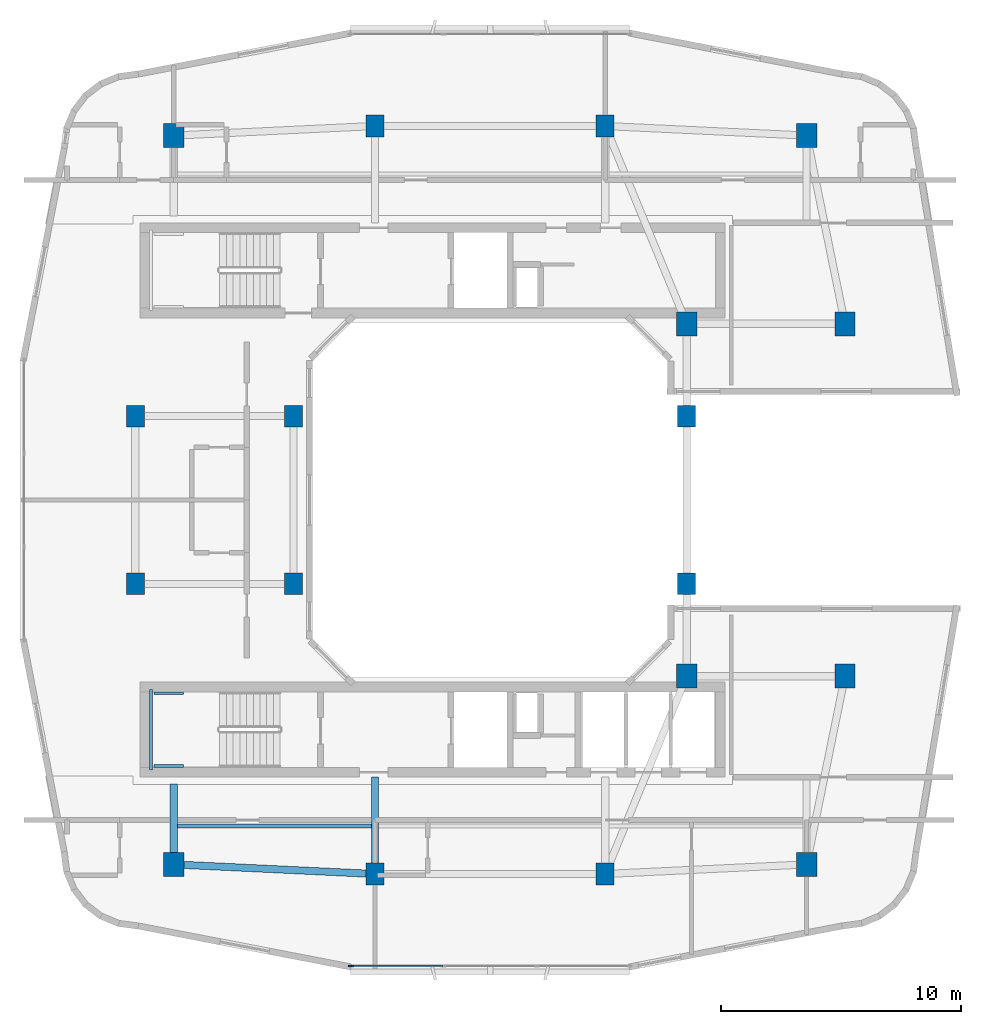
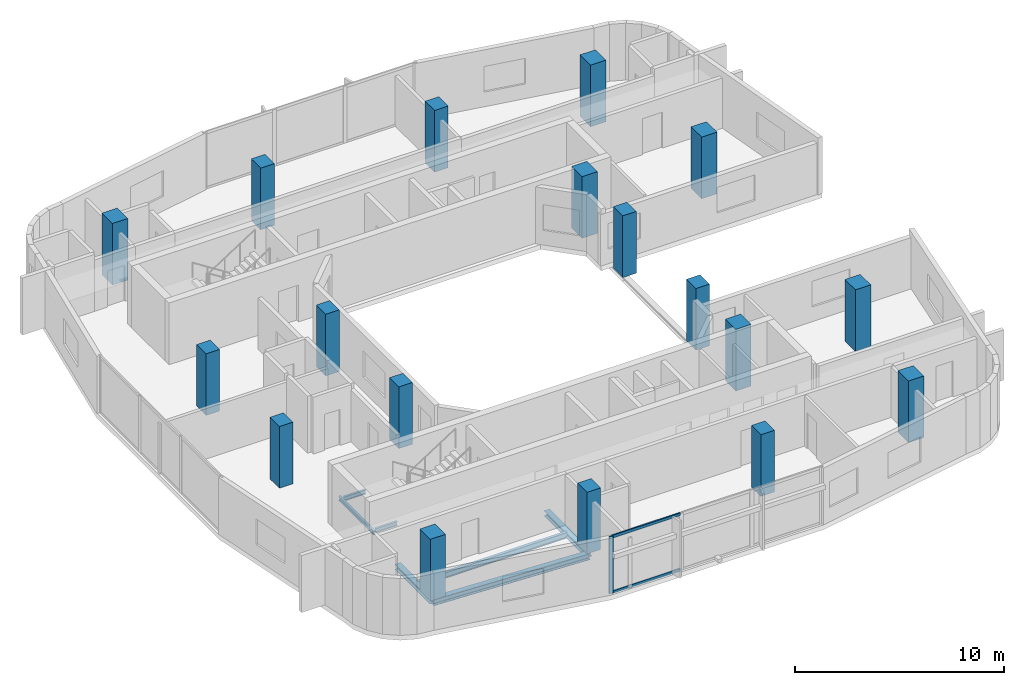
# One storey, part 1 of 12: 18 columns, 7 beams, 3 members, 1 element without a shape of its own.
"""IFC4 building model written with IfcOpenShell, lengths in metres."""

import ifcopenshell
import ifcopenshell.guid

model = None  # the IFC model being written
_history = None  # IfcOwnerHistory: only IFC2X3 demands one
_inside = {}  # id of a spatial element -> (the spatial element, [elements in it])
_under = {}  # id of a project, library or spatial element -> (it, [spatial elements below it])
_declared = {}  # id of a project -> (the project, [libraries it declares])
_typed = {}  # id of a type object -> (the type object, [elements of that type])
_made_of = {}  # id of a material, layer set ... -> (it, [elements and type objects made of it])


def new_model(schema):
    """Start an empty IFC model of exactly this schema.

    Asked for "IFC4X3", IfcOpenShell would pick the latest addendum, in which some entities
    have other attributes; the version numbers below select the first issue.
    IFC2X3 requires an IfcOwnerHistory on every rooted entity: one is made here for all.
    """
    global model, _history
    if schema == "IFC4X3":
        model = ifcopenshell.file(schema_version=(4, 3, 0, 0))
    else:
        model = ifcopenshell.file(schema=schema)
    _inside.clear()
    _under.clear()
    _declared.clear()
    _typed.clear()
    _made_of.clear()
    _history = None
    if model.schema == "IFC2X3":
        org = make("IfcOrganization", Name="unknown")
        user = make(
            "IfcPersonAndOrganization",
            ThePerson=make("IfcPerson", FamilyName="unknown"),
            TheOrganization=org,
        )
        app = make(
            "IfcApplication",
            ApplicationDeveloper=org,
            Version="unknown",
            ApplicationFullName="unknown",
            ApplicationIdentifier="unknown",
        )
        _history = make(
            "IfcOwnerHistory",
            OwningUser=user,
            OwningApplication=app,
            ChangeAction="ADDED",
            CreationDate=0,
        )
    return model


def make(cls, **values):
    """One entity of the class cls with the attributes given. An attribute that is None is left unset."""
    return model.create_entity(
        cls, **{name: value for name, value in values.items() if value is not None}
    )


def rooted(cls, **values):
    """An entity with a GlobalId (a new one), such as an element, a storey or a relation."""
    return make(cls, GlobalId=ifcopenshell.guid.new(), OwnerHistory=_history, **values)


def si_unit(unit_type, name, prefix=None):
    """IfcSIUnit, for example si_unit("LENGTHUNIT", "METRE", prefix="MILLI")."""
    return make("IfcSIUnit", UnitType=unit_type, Prefix=prefix, Name=name)


def derived_unit(unit_type, elements):
    """IfcDerivedUnit: a product of units, each with its exponent."""
    return make(
        "IfcDerivedUnit",
        Elements=[
            make("IfcDerivedUnitElement", Unit=unit, Exponent=power)
            for unit, power in elements
        ],
        UnitType=unit_type,
    )


def assignment(units):
    """IfcUnitAssignment: the units of a project."""
    return None if units is None else make("IfcUnitAssignment", Units=units)


def point(xyz):
    """IfcCartesianPoint."""
    return None if xyz is None else make("IfcCartesianPoint", Coordinates=xyz)


def direction(xyz):
    """IfcDirection."""
    return None if xyz is None else make("IfcDirection", DirectionRatios=xyz)


def frame(location, z_axis=None, x_axis=None):
    """IfcAxis2Placement3D, a coordinate frame: its origin and axes. An axis left out is left unset."""
    return make(
        "IfcAxis2Placement3D",
        Location=point(location),
        Axis=direction(z_axis),
        RefDirection=direction(x_axis),
    )


def frame_2d(location, x_axis=None):
    """IfcAxis2Placement2D, a coordinate frame in the plane: its origin and x axis."""
    return make(
        "IfcAxis2Placement2D", Location=point(location), RefDirection=direction(x_axis)
    )


def origin():
    """The frame at (0, 0, 0) with its axes left unset."""
    return frame((0.0, 0.0, 0.0))


def origin_2d():
    """The frame at (0, 0) in the plane with its x axis left unset."""
    return frame_2d((0.0, 0.0))


def place(relative_to, where):
    """IfcLocalPlacement: puts the frame where relative to a parent placement (None: the world)."""
    return make(
        "IfcLocalPlacement", PlacementRelTo=relative_to, RelativePlacement=where
    )


def context(
    kind, dimensions, precision=None, world=None, true_north=None, identifier=None
):
    """IfcGeometricRepresentationContext, for example the 3D "Model" context."""
    return make(
        "IfcGeometricRepresentationContext",
        ContextIdentifier=identifier,
        ContextType=kind,
        CoordinateSpaceDimension=dimensions,
        Precision=precision,
        WorldCoordinateSystem=world,
        TrueNorth=true_north,
    )


def subcontext(parent, identifier, kind, view, scale=None):
    """IfcGeometricRepresentationSubContext, for example "Body" below "Model"."""
    return make(
        "IfcGeometricRepresentationSubContext",
        ContextIdentifier=identifier,
        ContextType=kind,
        ParentContext=parent,
        TargetScale=scale,
        TargetView=view,
    )


def project(units=None, contexts=None):
    """IfcProject with its units and contexts."""
    return rooted(
        "IfcProject",
        Name="project",
        RepresentationContexts=contexts,
        UnitsInContext=assignment(units),
    )


def spatial(cls, under=None, at=None, **own):
    """A site, building, storey or space (cls), placed at a placement, below another one or the project."""
    s = rooted(cls, ObjectPlacement=at, **own)
    if under is not None:
        _under.setdefault(under.id(), (under, []))[1].append(s)
    return s


def profile(cls, at=None, kind="AREA", **sizes):
    """A parametric profile (cls). Its sizes go by their IFC names, for example OverallWidth=200.0."""
    return make(cls, ProfileType=kind, Position=at, **sizes)


def rectangle(**sizes):
    """IfcRectangleProfileDef."""
    return profile("IfcRectangleProfileDef", **sizes)


def i_section(**sizes):
    """IfcIShapeProfileDef."""
    return profile("IfcIShapeProfileDef", **sizes)


def extrude(swept, where, along, depth):
    """IfcExtrudedAreaSolid: the profile swept, set in the frame where, extruded along a direction by depth."""
    return make(
        "IfcExtrudedAreaSolid",
        SweptArea=swept,
        Position=where,
        ExtrudedDirection=direction(along),
        Depth=depth,
    )


def shape(context_of_items, identifier, shape_type, items):
    """IfcShapeRepresentation: the items that make up one representation, for example the "Body"."""
    return make(
        "IfcShapeRepresentation",
        ContextOfItems=context_of_items,
        RepresentationIdentifier=identifier,
        RepresentationType=shape_type,
        Items=items,
    )


def material(Name=None, Category=None):
    """IfcMaterial."""
    return make("IfcMaterial", Name=Name, Category=Category)


def layer(
    of_material, thickness, ventilated=None, Name=None, Category=None, Priority=None
):
    """IfcMaterialLayer: one layer of a wall or slab, of a material (None: an air gap)."""
    return make(
        "IfcMaterialLayer",
        Material=of_material,
        LayerThickness=thickness,
        IsVentilated=ventilated,
        Name=Name,
        Category=Category,
        Priority=Priority,
    )


def layer_set(layers, Name=None):
    """IfcMaterialLayerSet."""
    return make("IfcMaterialLayerSet", MaterialLayers=layers, LayerSetName=Name)


def material_profile(
    of_material, cross_section, Name=None, Category=None, Priority=None
):
    """IfcMaterialProfile: a cross section and its material."""
    return make(
        "IfcMaterialProfile",
        Name=Name,
        Material=of_material,
        Profile=cross_section,
        Priority=Priority,
        Category=Category,
    )


def profile_set(profiles, Name=None, composite=None):
    """IfcMaterialProfileSet."""
    return make(
        "IfcMaterialProfileSet",
        Name=Name,
        MaterialProfiles=profiles,
        CompositeProfile=composite,
    )


def made_of(thing, what):
    """Note that an element or type object is made of a material, layer set ...; save() writes the relation."""
    if what is not None:
        _made_of.setdefault(what.id(), (what, []))[1].append(thing)
    return thing


def type_object(cls, material=None, **own):
    """A type object (cls), such as IfcWallType, which elements share."""
    return made_of(rooted(cls, **own), material)


def element(
    cls,
    number,
    at=None,
    inside=None,
    cuts=None,
    type_object=None,
    material=None,
    context=None,
    identifier="Body",
    shape_type=None,
    held_by="IfcProductDefinitionShape",
    body=None,
    shapes=None,
    **own,
):
    """One element of the class cls, such as IfcWall. Its Tag is "e" and its number.

    at: its placement. inside: the storey or other place that contains it. cuts: it is an
    opening in that element (IfcRelVoidsElement). A single representation is given by context,
    identifier, shape_type and body (its items); several are given by shapes. held_by: the class
    of the entity that holds the representations. save() writes the other relations.
    """
    e = rooted(cls, Tag="e%d" % number, ObjectPlacement=at, **own)
    if body is not None:
        shapes = [shape(context, identifier, shape_type, body)]
    if shapes is not None:
        e.Representation = make(held_by, Representations=shapes)
    if inside is not None:
        _inside.setdefault(inside.id(), (inside, []))[1].append(e)
    if cuts is not None:
        rooted(
            "IfcRelVoidsElement", RelatingBuildingElement=cuts, RelatedOpeningElement=e
        )
    if type_object is not None:
        _typed.setdefault(type_object.id(), (type_object, []))[1].append(e)
    return made_of(e, material)


def aggregate(whole, parts):
    """IfcRelAggregates: a whole, such as a stair, and the parts it consists of."""
    return rooted("IfcRelAggregates", RelatingObject=whole, RelatedObjects=parts)


def save(model, path):
    """Write the relations noted so far, then the file.

    IfcRelAggregates (storeys below a building ...), IfcRelContainedInSpatialStructure (elements
    in a storey), IfcRelDefinesByType, IfcRelAssociatesMaterial and IfcRelDeclares: one each for
    every whole, place, type object, material and project.
    """
    for whole, parts in _under.values():
        aggregate(whole, parts)
    for where, things in _inside.values():
        rooted(
            "IfcRelContainedInSpatialStructure",
            RelatedElements=things,
            RelatingStructure=where,
        )
    for kind, things in _typed.values():
        rooted("IfcRelDefinesByType", RelatedObjects=things, RelatingType=kind)
    for what, things in _made_of.values():
        rooted("IfcRelAssociatesMaterial", RelatedObjects=things, RelatingMaterial=what)
    for by, libraries in _declared.values():
        rooted("IfcRelDeclares", RelatingContext=by, RelatedDefinitions=libraries)
    model.write(path)


model = new_model("IFC4")

# Units and contexts
model_context = context("Model", 3, precision=1e-05, world=origin(), true_north=direction((0.0, 1.0)))
body_context = subcontext(model_context, "Body", "Model", "MODEL_VIEW")
ifc_project = project(units=[si_unit("LENGTHUNIT", "METRE"), si_unit("AREAUNIT", "SQUARE_METRE"), si_unit("VOLUMEUNIT", "CUBIC_METRE"), si_unit("PLANEANGLEUNIT", "RADIAN"), si_unit("MASSUNIT", "GRAM", prefix="KILO"), derived_unit("THERMALTRANSMITTANCEUNIT", [(si_unit("POWERUNIT", "WATT"), 1), (si_unit("LENGTHUNIT", "METRE"), -2), (si_unit("THERMODYNAMICTEMPERATUREUNIT", "KELVIN"), -1)])], contexts=[model_context])

# Site, building, storey
site_placement = place(None, origin())
site = spatial("IfcSite", under=ifc_project, at=site_placement, CompositionType="ELEMENT")
building_placement = place(site_placement, origin())
building = spatial("IfcBuilding", under=site, at=building_placement, Name="Kivonza Crest Hotel", CompositionType="ELEMENT")
storey_placement = place(building_placement, frame((0.0, 0.0, 191.89990234375)))
storey = spatial("IfcBuildingStorey", under=building, at=storey_placement, Name="L52", CompositionType="ELEMENT", Elevation=191.89990234375)

# Columns
ifc_material_1 = material(Name="Concrete C50/60", Category="concrete")
ifc_material_profile_1 = material_profile(ifc_material_1, rectangle(XDim=0.85009765625, YDim=1.0, at=origin_2d()), Name="RC 1000x850")
ifc_profile_set_1 = profile_set([ifc_material_profile_1], Name="Concrete C50/60")
column_type_1 = type_object("IfcColumnType", Name="CL-RC-1000x850", PredefinedType="COLUMN", material=ifc_profile_set_1)
for number, where, z_axis, x_axis, name in (
    (1, (7.800048828125, 9.800048828125, 0.0), (0.0, 0.0, 1.0), (1.0, 0.0, 0.0), "Tower T1 L52 column SW"),
    (2, (34.199951171875, 9.800048828125, 0.0), (0.0, 0.0, 1.0), (1.0, 0.0, 0.0), "Tower T1 L52 column SE"),
    (3, (34.199951171875, 40.199951171875, 0.0), (0.0, 0.0, 1.0), (1.0, 0.0, 0.0), "Tower T1 L52 column NE"),
    (4, (7.800048828125, 40.199951171875, 0.0), (0.0, 0.0, 1.0), (1.0, 0.0, 0.0), "Tower T1 L52 column NW"),
    (5, (35.800048828125, 17.64990234375, 0.0), (0.0, 0.0, 1.0), (1.0, 0.0, 0.0), "Tower T1 L52 column PSE"),
    (6, (35.800048828125, 32.35009765625, 0.0), (0.0, 0.0, 1.0), (1.0, 0.0, 0.0), "Tower T1 L52 column PNE"),
    (7, (29.199951171875, 17.64990234375, 0.0), (0.0, 0.0, 1.0), (1.0, 0.0, 0.0), "Tower T1 L52 column TSE"),
    (8, (29.199951171875, 32.35009765625, 0.0), (0.0, 0.0, 1.0), (1.0, 0.0, 0.0), "Tower T1 L52 column TNE"),
):
    element("IfcColumn", number, at=place(storey_placement, frame(where, z_axis=z_axis, x_axis=x_axis)), inside=storey, type_object=column_type_1, Name=name, PredefinedType="COLUMN", context=body_context, shape_type="SweptSolid", body=[
        extrude(rectangle(XDim=0.85009765625, YDim=1.0, at=origin_2d()), origin(), (0.0, 0.0, 1.0), 3.60009765625),
    ])
ifc_material_profile_2 = material_profile(ifc_material_1, rectangle(XDim=0.75, YDim=0.89990234375, at=origin_2d()), Name="RC 900x750")
ifc_profile_set_2 = profile_set([ifc_material_profile_2], Name="Concrete C50/60")
column_type_2 = type_object("IfcColumnType", Name="CL-RC-900x750", PredefinedType="COLUMN", material=ifc_profile_set_2)
for number, where, z_axis, x_axis, name in (
    (9, (16.199951171875, 9.39990234375, 0.0), (0.0, 0.0, 1.0), (1.0, 0.0, 0.0), "Tower T1 L52 column S1"),
    (10, (25.800048828125, 9.39990234375, 0.0), (0.0, 0.0, 1.0), (1.0, 0.0, 0.0), "Tower T1 L52 column S2"),
    (11, (16.199951171875, 40.60009765625, 0.0), (0.0, 0.0, 1.0), (1.0, 0.0, 0.0), "Tower T1 L52 column N1"),
    (12, (25.800048828125, 40.60009765625, 0.0), (0.0, 0.0, 1.0), (1.0, 0.0, 0.0), "Tower T1 L52 column N2"),
    (13, (6.199951171875, 21.5, 0.0), (0.0, 0.0, 1.0), (1.0, 0.0, 0.0), "Tower T1 L52 column W1"),
    (14, (6.199951171875, 28.5, 0.0), (0.0, 0.0, 1.0), (1.0, 0.0, 0.0), "Tower T1 L52 column W2"),
    (15, (12.800048828125, 21.5, 0.0), (0.0, 0.0, 1.0), (1.0, 0.0, 0.0), "Tower T1 L52 column WL1"),
    (16, (12.800048828125, 28.5, 0.0), (0.0, 0.0, 1.0), (1.0, 0.0, 0.0), "Tower T1 L52 column WL2"),
    (17, (29.199951171875, 21.5, 0.0), (0.0, 0.0, 1.0), (1.0, 0.0, 0.0), "Tower T1 L52 column WR1"),
    (18, (29.199951171875, 28.5, 0.0), (0.0, 0.0, 1.0), (1.0, 0.0, 0.0), "Tower T1 L52 column WR2"),
):
    element("IfcColumn", number, at=place(storey_placement, frame(where, z_axis=z_axis, x_axis=x_axis)), inside=storey, type_object=column_type_2, Name=name, PredefinedType="COLUMN", context=body_context, shape_type="SweptSolid", body=[
        extrude(rectangle(XDim=0.75, YDim=0.89990234375, at=origin_2d()), origin(), (0.0, 0.0, 1.0), 3.60009765625),
    ])

# Beams
ifc_material_2 = material(Name="Steel S355", Category="steel")
ifc_material_profile_3 = material_profile(ifc_material_2, i_section(OverallWidth=0.300048828125, OverallDepth=0.300048828125, WebThickness=0.010986328125, FlangeThickness=0.01904296875, FilletRadius=0.027099609375, at=origin_2d()), Name="HEB 300")
ifc_profile_set_3 = profile_set([ifc_material_profile_3], Name="Steel S355")
beam_type_1 = type_object("IfcBeamType", Name="BM-HEB300", PredefinedType="BEAM", material=ifc_profile_set_3)
beam_1_placement = place(storey_placement, frame((7.800048828125, 9.800048828125, -0.429931640625), z_axis=(0.0, 1.0, 0.0), x_axis=(-1.0, 0.0, 0.0)))
element("IfcBeam", 19, at=beam_1_placement, inside=storey, type_object=beam_type_1, Name="Tower T1 L52 radial core girder RSW", PredefinedType="BEAM", context=body_context, shape_type="SweptSolid", body=[
    extrude(i_section(OverallWidth=0.300048828125, OverallDepth=0.300048828125, WebThickness=0.010986328125, FlangeThickness=0.01904296875, FilletRadius=0.027099609375, at=origin_2d()), origin(), (0.0, 0.0, 1.0), 3.349853515625),
])
beam_2_placement = place(storey_placement, frame((16.199951171875, 9.39990234375, -0.429931640625), z_axis=(0.0, 1.0, 0.0), x_axis=(-1.0, 0.0, 0.0)))
element("IfcBeam", 20, at=beam_2_placement, inside=storey, type_object=beam_type_1, Name="Tower T1 L52 radial core girder RS1", PredefinedType="BEAM", context=body_context, shape_type="SweptSolid", body=[
    extrude(i_section(OverallWidth=0.300048828125, OverallDepth=0.300048828125, WebThickness=0.010986328125, FlangeThickness=0.01904296875, FilletRadius=0.027099609375, at=origin_2d()), origin(), (0.0, 0.0, 1.0), 4.050048828125),
])
ifc_material_profile_4 = material_profile(ifc_material_2, i_section(OverallWidth=0.300048828125, OverallDepth=0.360107421875, WebThickness=0.012451171875, FlangeThickness=0.0224609375, FilletRadius=0.027099609375, at=origin_2d()), Name="HEB 360")
ifc_profile_set_4 = profile_set([ifc_material_profile_4], Name="Steel S355")
beam_type_2 = type_object("IfcBeamType", Name="BM-HEB360", PredefinedType="SPANDREL", material=ifc_profile_set_4)
beam_3_placement = place(storey_placement, frame((7.800048828125, 9.800048828125, -0.4599609375), z_axis=(0.998867283688, -0.047583080799, 0.0), x_axis=(0.047583080799, 0.998867283688, 0.0)))
element("IfcBeam", 21, at=beam_3_placement, inside=storey, type_object=beam_type_2, Name="Tower T1 L52 perimeter spandrel SW-S1", PredefinedType="SPANDREL", context=body_context, shape_type="SweptSolid", body=[
    extrude(i_section(OverallWidth=0.300048828125, OverallDepth=0.360107421875, WebThickness=0.012451171875, FlangeThickness=0.0224609375, FilletRadius=0.027099609375, at=origin_2d()), origin(), (0.0, 0.0, 1.0), 8.409423828125),
])
ifc_material_profile_5 = material_profile(ifc_material_2, i_section(OverallWidth=0.159912109375, OverallDepth=0.330078125, WebThickness=0.007568359375, FlangeThickness=0.011474609375, FilletRadius=0.01806640625, at=origin_2d()), Name="IPE 330")
ifc_profile_set_5 = profile_set([ifc_material_profile_5], Name="Steel S355")
beam_type_3 = type_object("IfcBeamType", Name="BM-IPE330", PredefinedType="JOIST", material=ifc_profile_set_5)
beam_4_placement = place(storey_placement, frame((7.8798828125, 11.39990234375, -0.44482421875), z_axis=(1.0, 0.0, 0.0), x_axis=(0.0, 1.0, 0.0)))
element("IfcBeam", 22, at=beam_4_placement, inside=storey, type_object=beam_type_3, Name="Tower T1 L52 South-West floor joist", PredefinedType="JOIST", context=body_context, shape_type="SweptSolid", body=[
    extrude(i_section(OverallWidth=0.159912109375, OverallDepth=0.330078125, WebThickness=0.007568359375, FlangeThickness=0.011474609375, FilletRadius=0.01806640625, at=origin_2d()), origin(), (0.0, 0.0, 1.0), 8.240234375),
])
ifc_material_profile_6 = material_profile(ifc_material_2, i_section(OverallWidth=0.1201171875, OverallDepth=0.239990234375, WebThickness=0.006103515625, FlangeThickness=0.009765625, FilletRadius=0.014892578125, at=origin_2d()), Name="IPE 240")
ifc_profile_set_6 = profile_set([ifc_material_profile_6], Name="Steel S355")
beam_type_4 = type_object("IfcBeamType", Name="BM-LLDG-240", PredefinedType="BEAM", material=ifc_profile_set_6)
beam_5_placement = place(storey_placement, frame((6.860107421875, 13.739990234375, 1.47998046875), z_axis=(0.0, 1.0, 0.0), x_axis=(-1.0, 0.0, 0.0)))
element("IfcBeam", 23, at=beam_5_placement, inside=storey, type_object=beam_type_4, Name="Stair ST-T1-S L52 West landing corbel", PredefinedType="BEAM", context=body_context, shape_type="SweptSolid", body=[
    extrude(i_section(OverallWidth=0.1201171875, OverallDepth=0.239990234375, WebThickness=0.006103515625, FlangeThickness=0.009765625, FilletRadius=0.014892578125, at=origin_2d()), origin(), (0.0, 0.0, 1.0), 3.360107421875),
])
for number, where, z_axis, x_axis, name in (
    (24, (6.989990234375, 13.89990234375, 1.47998046875), (1.0, 0.0, 0.0), (0.0, 1.0, 0.0), "Stair ST-T1-S L52 South landing corbel"),
    (25, (6.989990234375, 16.93994140625, 1.47998046875), (1.0, 0.0, 0.0), (0.0, 1.0, 0.0), "Stair ST-T1-S L52 North landing corbel"),
):
    element("IfcBeam", number, at=place(storey_placement, frame(where, z_axis=z_axis, x_axis=x_axis)), inside=storey, type_object=beam_type_4, Name=name, PredefinedType="BEAM", context=body_context, shape_type="SweptSolid", body=[
        extrude(i_section(OverallWidth=0.1201171875, OverallDepth=0.239990234375, WebThickness=0.006103515625, FlangeThickness=0.009765625, FilletRadius=0.014892578125, at=origin_2d()), origin(), (0.0, 0.0, 1.0), 1.2099609375),
    ])

# Curtain wall, members
ifc_material_3 = material(Name="Anodised bronze aluminium and low-E double glazing", Category="aluminium")
ifc_layer = layer(ifc_material_3, 0.179931640625)
ifc_layer_set = layer_set([ifc_layer], Name="Anodised bronze aluminium and low-E double glazing")
curtain_wall_type = type_object("IfcCurtainWallType", Name="CW-SYS-3", PredefinedType="NOTDEFINED", material=ifc_layer_set)
curtain_wall_placement = place(storey_placement, origin())
curtain_wall = element("IfcCurtainWall", 26, at=curtain_wall_placement, inside=storey, type_object=curtain_wall_type, Name="L52 unitised curtain wall CW-T1-L52-08", PredefinedType="NOTDEFINED")
ifc_material_4 = material(Name="Anodised bronze aluminium", Category="aluminium")
ifc_material_profile_7 = material_profile(ifc_material_4, rectangle(XDim=0.074951171875, YDim=0.219970703125, at=origin_2d()), Name="CW-M 75x220")
ifc_profile_set_7 = profile_set([ifc_material_profile_7], Name="Anodised bronze aluminium")
member_type_1 = type_object("IfcMemberType", Name="CW-MUL-75x220", PredefinedType="MULLION", material=ifc_profile_set_7)
member_1_placement = place(storey_placement, frame((15.197509765625, 5.56005859375, 0.0), z_axis=(0.0, 0.0, 1.0), x_axis=(0.0, 1.0, 0.0)))
member_1 = element("IfcMember", 27, at=member_1_placement, type_object=member_type_1, Name="CW-3 mullion 1", PredefinedType="MULLION", context=body_context, shape_type="SweptSolid", body=[
    extrude(rectangle(XDim=0.074951171875, YDim=0.219970703125, at=origin_2d()), origin(), (0.0, 0.0, 1.0), 3.320068359375),
])
ifc_material_profile_8 = material_profile(ifc_material_4, rectangle(XDim=0.074951171875, YDim=0.159912109375, at=origin_2d()), Name="CW-T 75x160")
ifc_profile_set_8 = profile_set([ifc_material_profile_8], Name="Anodised bronze aluminium")
member_type_2 = type_object("IfcMemberType", Name="CW-TRN-75x160", PredefinedType="USERDEFINED", material=ifc_profile_set_8)
member_2_placement = place(storey_placement, frame((15.235107421875, 5.56005859375, 0.03759765625), z_axis=(1.0, 0.0, 0.0), x_axis=(0.0, 1.0, 0.0)))
member_2 = element("IfcMember", 28, at=member_2_placement, type_object=member_type_2, Name="CW-3 transom 1.1", ObjectType="TRANSOM", PredefinedType="USERDEFINED", context=body_context, shape_type="SweptSolid", body=[
    extrude(rectangle(XDim=0.074951171875, YDim=0.159912109375, at=origin_2d()), origin(), (0.0, 0.0, 1.0), 3.78076171875),
])
member_3_placement = place(storey_placement, frame((15.235107421875, 5.56005859375, 3.28271484375), z_axis=(1.0, 0.0, 0.0), x_axis=(0.0, 1.0, 0.0)))
member_3 = element("IfcMember", 29, at=member_3_placement, type_object=member_type_2, Name="CW-3 transom 1.2", ObjectType="TRANSOM", PredefinedType="USERDEFINED", context=body_context, shape_type="SweptSolid", body=[
    extrude(rectangle(XDim=0.074951171875, YDim=0.159912109375, at=origin_2d()), origin(), (0.0, 0.0, 1.0), 3.78076171875),
])
aggregate(curtain_wall, [member_1, member_2, member_3])

save(model, "model.ifc")
